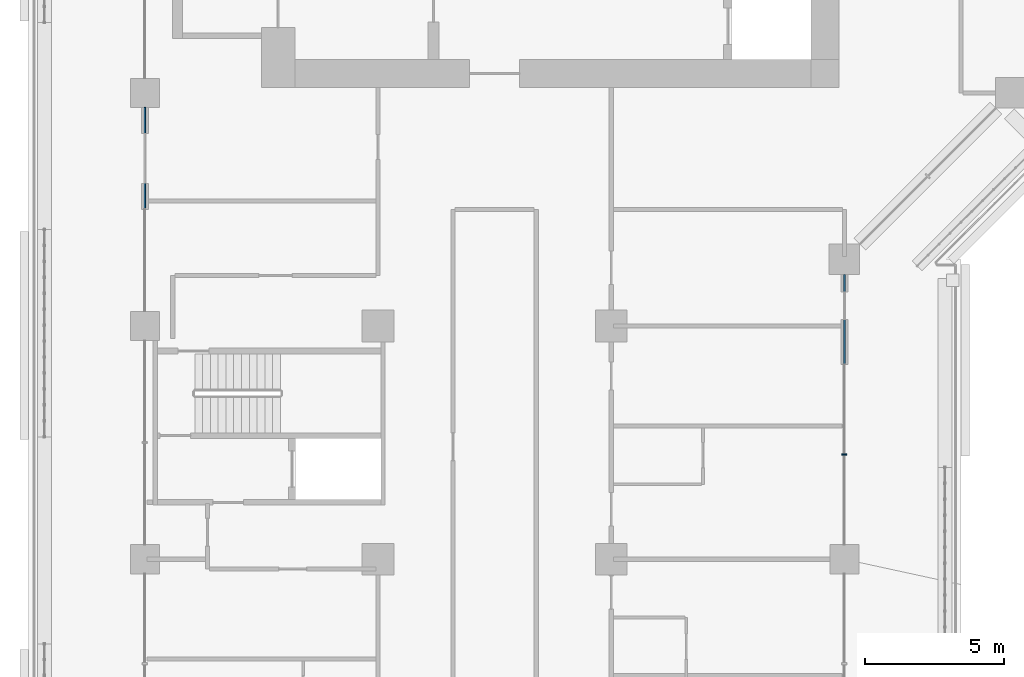
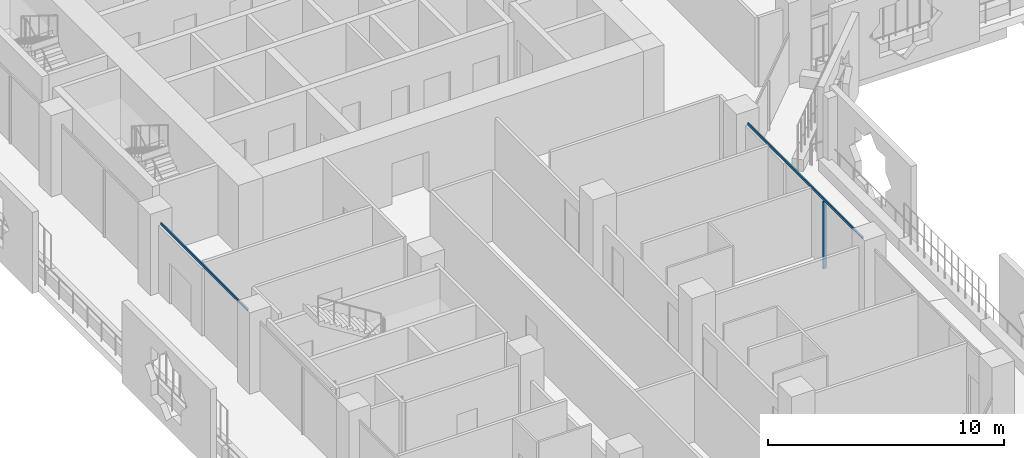
# One storey, part 3 of 27: 3 members, 2 elements without a shape of their own.
"""IFC4 building model written with IfcOpenShell, lengths in metres."""

import ifcopenshell
import ifcopenshell.guid

model = None  # the IFC model being written
_history = None  # IfcOwnerHistory: only IFC2X3 demands one
_inside = {}  # id of a spatial element -> (the spatial element, [elements in it])
_under = {}  # id of a project, library or spatial element -> (it, [spatial elements below it])
_declared = {}  # id of a project -> (the project, [libraries it declares])
_typed = {}  # id of a type object -> (the type object, [elements of that type])
_made_of = {}  # id of a material, layer set ... -> (it, [elements and type objects made of it])


def new_model(schema):
    """Start an empty IFC model of exactly this schema.

    Asked for "IFC4X3", IfcOpenShell would pick the latest addendum, in which some entities
    have other attributes; the version numbers below select the first issue.
    IFC2X3 requires an IfcOwnerHistory on every rooted entity: one is made here for all.
    """
    global model, _history
    if schema == "IFC4X3":
        model = ifcopenshell.file(schema_version=(4, 3, 0, 0))
    else:
        model = ifcopenshell.file(schema=schema)
    _inside.clear()
    _under.clear()
    _declared.clear()
    _typed.clear()
    _made_of.clear()
    _history = None
    if model.schema == "IFC2X3":
        org = make("IfcOrganization", Name="unknown")
        user = make(
            "IfcPersonAndOrganization",
            ThePerson=make("IfcPerson", FamilyName="unknown"),
            TheOrganization=org,
        )
        app = make(
            "IfcApplication",
            ApplicationDeveloper=org,
            Version="unknown",
            ApplicationFullName="unknown",
            ApplicationIdentifier="unknown",
        )
        _history = make(
            "IfcOwnerHistory",
            OwningUser=user,
            OwningApplication=app,
            ChangeAction="ADDED",
            CreationDate=0,
        )
    return model


def make(cls, **values):
    """One entity of the class cls with the attributes given. An attribute that is None is left unset."""
    return model.create_entity(
        cls, **{name: value for name, value in values.items() if value is not None}
    )


def rooted(cls, **values):
    """An entity with a GlobalId (a new one), such as an element, a storey or a relation."""
    return make(cls, GlobalId=ifcopenshell.guid.new(), OwnerHistory=_history, **values)


def si_unit(unit_type, name, prefix=None):
    """IfcSIUnit, for example si_unit("LENGTHUNIT", "METRE", prefix="MILLI")."""
    return make("IfcSIUnit", UnitType=unit_type, Prefix=prefix, Name=name)


def assignment(units):
    """IfcUnitAssignment: the units of a project."""
    return None if units is None else make("IfcUnitAssignment", Units=units)


def point(xyz):
    """IfcCartesianPoint."""
    return None if xyz is None else make("IfcCartesianPoint", Coordinates=xyz)


def direction(xyz):
    """IfcDirection."""
    return None if xyz is None else make("IfcDirection", DirectionRatios=xyz)


def frame(location, z_axis=None, x_axis=None):
    """IfcAxis2Placement3D, a coordinate frame: its origin and axes. An axis left out is left unset."""
    return make(
        "IfcAxis2Placement3D",
        Location=point(location),
        Axis=direction(z_axis),
        RefDirection=direction(x_axis),
    )


def frame_2d(location, x_axis=None):
    """IfcAxis2Placement2D, a coordinate frame in the plane: its origin and x axis."""
    return make(
        "IfcAxis2Placement2D", Location=point(location), RefDirection=direction(x_axis)
    )


def origin():
    """The frame at (0, 0, 0) with its axes left unset."""
    return frame((0.0, 0.0, 0.0))


def origin_2d():
    """The frame at (0, 0) in the plane with its x axis left unset."""
    return frame_2d((0.0, 0.0))


def place(relative_to, where):
    """IfcLocalPlacement: puts the frame where relative to a parent placement (None: the world)."""
    return make(
        "IfcLocalPlacement", PlacementRelTo=relative_to, RelativePlacement=where
    )


def context(
    kind, dimensions, precision=None, world=None, true_north=None, identifier=None
):
    """IfcGeometricRepresentationContext, for example the 3D "Model" context."""
    return make(
        "IfcGeometricRepresentationContext",
        ContextIdentifier=identifier,
        ContextType=kind,
        CoordinateSpaceDimension=dimensions,
        Precision=precision,
        WorldCoordinateSystem=world,
        TrueNorth=true_north,
    )


def subcontext(parent, identifier, kind, view, scale=None):
    """IfcGeometricRepresentationSubContext, for example "Body" below "Model"."""
    return make(
        "IfcGeometricRepresentationSubContext",
        ContextIdentifier=identifier,
        ContextType=kind,
        ParentContext=parent,
        TargetScale=scale,
        TargetView=view,
    )


def project(units=None, contexts=None):
    """IfcProject with its units and contexts."""
    return rooted(
        "IfcProject",
        Name="project",
        RepresentationContexts=contexts,
        UnitsInContext=assignment(units),
    )


def spatial(cls, under=None, at=None, **own):
    """A site, building, storey or space (cls), placed at a placement, below another one or the project."""
    s = rooted(cls, ObjectPlacement=at, **own)
    if under is not None:
        _under.setdefault(under.id(), (under, []))[1].append(s)
    return s


def profile(cls, at=None, kind="AREA", **sizes):
    """A parametric profile (cls). Its sizes go by their IFC names, for example OverallWidth=200.0."""
    return make(cls, ProfileType=kind, Position=at, **sizes)


def rectangle(**sizes):
    """IfcRectangleProfileDef."""
    return profile("IfcRectangleProfileDef", **sizes)


def extrude(swept, where, along, depth):
    """IfcExtrudedAreaSolid: the profile swept, set in the frame where, extruded along a direction by depth."""
    return make(
        "IfcExtrudedAreaSolid",
        SweptArea=swept,
        Position=where,
        ExtrudedDirection=direction(along),
        Depth=depth,
    )


def shape(context_of_items, identifier, shape_type, items):
    """IfcShapeRepresentation: the items that make up one representation, for example the "Body"."""
    return make(
        "IfcShapeRepresentation",
        ContextOfItems=context_of_items,
        RepresentationIdentifier=identifier,
        RepresentationType=shape_type,
        Items=items,
    )


def material(Name=None, Category=None):
    """IfcMaterial."""
    return make("IfcMaterial", Name=Name, Category=Category)


def layer(
    of_material, thickness, ventilated=None, Name=None, Category=None, Priority=None
):
    """IfcMaterialLayer: one layer of a wall or slab, of a material (None: an air gap)."""
    return make(
        "IfcMaterialLayer",
        Material=of_material,
        LayerThickness=thickness,
        IsVentilated=ventilated,
        Name=Name,
        Category=Category,
        Priority=Priority,
    )


def layer_set(layers, Name=None):
    """IfcMaterialLayerSet."""
    return make("IfcMaterialLayerSet", MaterialLayers=layers, LayerSetName=Name)


def material_profile(
    of_material, cross_section, Name=None, Category=None, Priority=None
):
    """IfcMaterialProfile: a cross section and its material."""
    return make(
        "IfcMaterialProfile",
        Name=Name,
        Material=of_material,
        Profile=cross_section,
        Priority=Priority,
        Category=Category,
    )


def profile_set(profiles, Name=None, composite=None):
    """IfcMaterialProfileSet."""
    return make(
        "IfcMaterialProfileSet",
        Name=Name,
        MaterialProfiles=profiles,
        CompositeProfile=composite,
    )


def made_of(thing, what):
    """Note that an element or type object is made of a material, layer set ...; save() writes the relation."""
    if what is not None:
        _made_of.setdefault(what.id(), (what, []))[1].append(thing)
    return thing


def type_object(cls, material=None, **own):
    """A type object (cls), such as IfcWallType, which elements share."""
    return made_of(rooted(cls, **own), material)


def element(
    cls,
    number,
    at=None,
    inside=None,
    cuts=None,
    type_object=None,
    material=None,
    context=None,
    identifier="Body",
    shape_type=None,
    held_by="IfcProductDefinitionShape",
    body=None,
    shapes=None,
    **own,
):
    """One element of the class cls, such as IfcWall. Its Tag is "e" and its number.

    at: its placement. inside: the storey or other place that contains it. cuts: it is an
    opening in that element (IfcRelVoidsElement). A single representation is given by context,
    identifier, shape_type and body (its items); several are given by shapes. held_by: the class
    of the entity that holds the representations. save() writes the other relations.
    """
    e = rooted(cls, Tag="e%d" % number, ObjectPlacement=at, **own)
    if body is not None:
        shapes = [shape(context, identifier, shape_type, body)]
    if shapes is not None:
        e.Representation = make(held_by, Representations=shapes)
    if inside is not None:
        _inside.setdefault(inside.id(), (inside, []))[1].append(e)
    if cuts is not None:
        rooted(
            "IfcRelVoidsElement", RelatingBuildingElement=cuts, RelatedOpeningElement=e
        )
    if type_object is not None:
        _typed.setdefault(type_object.id(), (type_object, []))[1].append(e)
    return made_of(e, material)


def aggregate(whole, parts):
    """IfcRelAggregates: a whole, such as a stair, and the parts it consists of."""
    return rooted("IfcRelAggregates", RelatingObject=whole, RelatedObjects=parts)


def save(model, path):
    """Write the relations noted so far, then the file.

    IfcRelAggregates (storeys below a building ...), IfcRelContainedInSpatialStructure (elements
    in a storey), IfcRelDefinesByType, IfcRelAssociatesMaterial and IfcRelDeclares: one each for
    every whole, place, type object, material and project.
    """
    for whole, parts in _under.values():
        aggregate(whole, parts)
    for where, things in _inside.values():
        rooted(
            "IfcRelContainedInSpatialStructure",
            RelatedElements=things,
            RelatingStructure=where,
        )
    for kind, things in _typed.values():
        rooted("IfcRelDefinesByType", RelatedObjects=things, RelatingType=kind)
    for what, things in _made_of.values():
        rooted("IfcRelAssociatesMaterial", RelatedObjects=things, RelatingMaterial=what)
    for by, libraries in _declared.values():
        rooted("IfcRelDeclares", RelatingContext=by, RelatedDefinitions=libraries)
    model.write(path)


model = new_model("IFC4")

# Units and contexts
model_context = context("Model", 3, precision=1e-05, world=origin(), true_north=direction((0.0, 1.0)))
body_context = subcontext(model_context, "Body", "Model", "MODEL_VIEW")
ifc_project = project(units=[si_unit("LENGTHUNIT", "METRE"), si_unit("AREAUNIT", "SQUARE_METRE"), si_unit("VOLUMEUNIT", "CUBIC_METRE"), si_unit("PLANEANGLEUNIT", "RADIAN"), si_unit("MASSUNIT", "GRAM", prefix="KILO")], contexts=[model_context])

# Site, building, storey
site_placement = place(None, origin())
site = spatial("IfcSite", under=ifc_project, at=site_placement, CompositionType="ELEMENT")
building_placement = place(site_placement, origin())
building = spatial("IfcBuilding", under=site, at=building_placement, Name="Kawkab Arch Medical Tower", CompositionType="ELEMENT")
storey_placement = place(building_placement, frame((0.0, 0.0, 115.60009765625)))
storey = spatial("IfcBuildingStorey", under=building, at=storey_placement, Name="L26", CompositionType="ELEMENT", Elevation=115.60009765625)

# Curtain wall, member
ifc_material_1 = material(Name="Bronze anodised aluminium curtain wall frame", Category="aluminium")
ifc_layer = layer(ifc_material_1, 0.159912109375)
ifc_layer_set = layer_set([ifc_layer], Name="Bronze anodised aluminium curtain wall frame")
curtain_wall_type = type_object("IfcCurtainWallType", Name="CW1 ward curtain wall", PredefinedType="NOTDEFINED", material=ifc_layer_set)
placement = place(storey_placement, origin())
curtain_wall_1 = element("IfcCurtainWall", 1, at=placement, inside=storey, type_object=curtain_wall_type, Name="CW1 Ward curtain wall R05", PredefinedType="NOTDEFINED")
ifc_material_2 = material(Name="Bronze anodised aluminium curtain wall frame", Category="aluminium")
ifc_material_profile_1 = material_profile(ifc_material_2, rectangle(XDim=0.179931640625, YDim=0.06005859375, at=origin_2d()), Name="AL 60x180")
ifc_profile_set_1 = profile_set([ifc_material_profile_1], Name="Bronze anodised aluminium curtain wall frame")
member_type_1 = type_object("IfcMemberType", Name="CW1 mullion 60 x 180", PredefinedType="MULLION", material=ifc_profile_set_1)
member_1_placement = place(storey_placement, frame((25.199951171875, -38.2333984375, 0.0), z_axis=(0.0, 0.0, 1.0), x_axis=(-1.0, 0.0, 0.0)))
member_1 = element("IfcMember", 2, at=member_1_placement, type_object=member_type_1, Name="CW1 mullion 2.1", PredefinedType="MULLION", context=body_context, shape_type="SweptSolid", body=[
    extrude(rectangle(XDim=0.179931640625, YDim=0.06005859375, at=origin_2d()), origin(), (0.0, 0.0, 1.0), 3.47998046875),
])

curtain_wall_2 = element("IfcCurtainWall", 3, at=placement, inside=storey, type_object=curtain_wall_type, Name="CW1 Ward curtain wall R01", PredefinedType="NOTDEFINED")
ifc_material_3 = material(Name="Bronze anodised aluminium curtain wall frame", Category="aluminium")
ifc_material_profile_2 = material_profile(ifc_material_3, rectangle(XDim=0.06005859375, YDim=0.1201171875, at=origin_2d()), Name="AL 60x120")
ifc_profile_set_2 = profile_set([ifc_material_profile_2], Name="Bronze anodised aluminium curtain wall frame")
member_type_2 = type_object("IfcMemberType", Name="CW1 transom 120 x 60", PredefinedType="USERDEFINED", material=ifc_profile_set_2)
member_2_placement = place(storey_placement, frame((0.0, -25.72509765625, 3.539794921875), z_axis=(0.0, -1.0, 0.0), x_axis=(1.0, 0.0, 0.0)))
member_2 = element("IfcMember", 4, at=member_2_placement, type_object=member_type_2, Name="CW1 transom 4", ObjectType="TRANSOM", PredefinedType="USERDEFINED", context=body_context, shape_type="SweptSolid", body=[
    extrude(rectangle(XDim=0.06005859375, YDim=0.1201171875, at=origin_2d()), origin(), (0.0, 0.0, 1.0), 7.349853515625),
])
aggregate(curtain_wall_2, [member_2])

# Member
member_3_placement = place(storey_placement, frame((25.199951171875, -41.47509765625, 3.539794921875), z_axis=(0.0, 1.0, 0.0), x_axis=(-1.0, 0.0, 0.0)))
member_3 = element("IfcMember", 5, at=member_3_placement, type_object=member_type_2, Name="CW1 transom 2", ObjectType="TRANSOM", PredefinedType="USERDEFINED", context=body_context, shape_type="SweptSolid", body=[
    extrude(rectangle(XDim=0.06005859375, YDim=0.1201171875, at=origin_2d()), origin(), (0.0, 0.0, 1.0), 9.72509765625),
])

aggregate(curtain_wall_1, [member_3, member_1])

save(model, "model.ifc")
